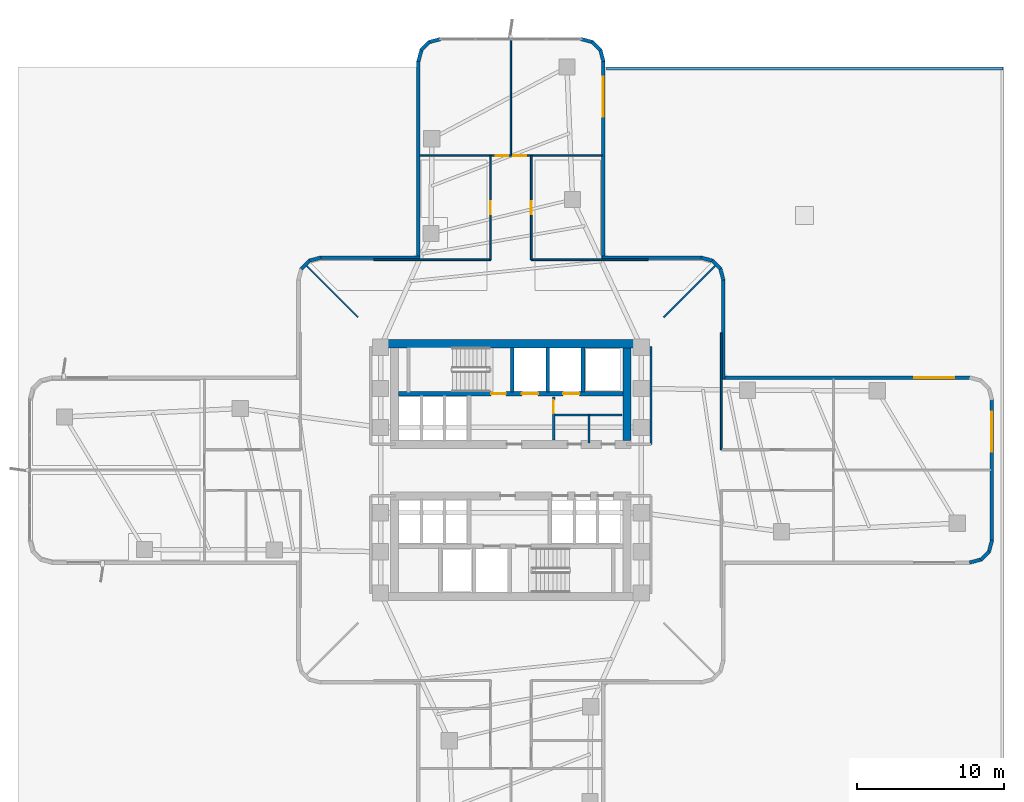
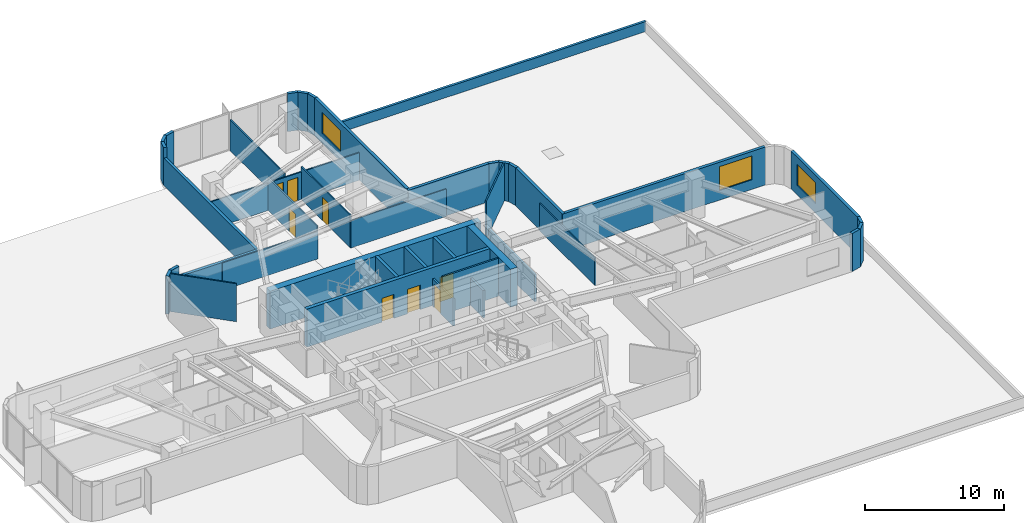
# One storey, part 10 of 14: 41 walls, 8 doors, 3 windows, 11 openings.
"""IFC4 building model written with IfcOpenShell, lengths in metres."""

from ifc_helpers import new_model, si_unit, direction, frame, frame_2d, origin, place, context, subcontext, project, spatial, rectangle, extrude, material, layer, layer_set, type_object, element, fill, save


model = new_model("IFC4")

# Units and contexts
model_context = context("Model", 3, precision=1e-05, world=origin(), true_north=direction((0.0, 1.0)))
body_context = subcontext(model_context, "Body", "Model", "MODEL_VIEW")
ifc_project = project(units=[si_unit("LENGTHUNIT", "METRE"), si_unit("AREAUNIT", "SQUARE_METRE"), si_unit("VOLUMEUNIT", "CUBIC_METRE"), si_unit("PLANEANGLEUNIT", "RADIAN"), si_unit("MASSUNIT", "GRAM", prefix="KILO")], contexts=[model_context])

# Site, building, storey
site_placement = place(None, origin())
site = spatial("IfcSite", under=ifc_project, at=site_placement, CompositionType="ELEMENT")
building_placement = place(site_placement, origin())
building = spatial("IfcBuilding", under=site, at=building_placement, Name="Solmarez Civic Tower", CompositionType="ELEMENT")
storey_placement = place(building_placement, frame((0.0, 0.0, 24.47998046875)))
storey = spatial("IfcBuildingStorey", under=building, at=storey_placement, Name="L05", CompositionType="ELEMENT", Elevation=24.47998046875)

# Walls
ifc_material_1 = material(Name="Concrete C60/75", Category="concrete")
ifc_layer_1 = layer(ifc_material_1, 0.550048828125)
ifc_layer_set_1 = layer_set([ifc_layer_1], Name="Concrete C60/75")
wall_type_1 = type_object("IfcWallType", Name="WALL-CORE-550", PredefinedType="SHEAR", material=ifc_layer_set_1)
wall_1_placement = place(storey_placement, frame((-8.780029296875, 8.5849609375, 0.0), z_axis=(0.0, 0.0, 1.0), x_axis=(1.0, 0.0, 0.0)))
element("IfcWall", 1, at=wall_1_placement, inside=storey, type_object=wall_type_1, Name="L05 Split-Core Structural Wall NCW-N-L05", PredefinedType="SHEAR", context=body_context, shape_type="SweptSolid", body=[
    extrude(rectangle(XDim=17.56005859375, YDim=0.550048828125, at=frame_2d((8.780029296875, 0.0))), origin(), (0.0, 0.0, 1.0), 3.340087890625),
])
wall_2_placement = place(storey_placement, frame((7.89501953125, 8.31005859375, 0.0), z_axis=(0.0, 0.0, 1.0), x_axis=(0.0, -1.0, 0.0)))
element("IfcWall", 2, at=wall_2_placement, inside=storey, type_object=wall_type_1, Name="L05 Split-Core Structural Wall NCW-E-L05", PredefinedType="SHEAR", context=body_context, shape_type="SweptSolid", body=[
    extrude(rectangle(XDim=6.28515625, YDim=0.550048828125, at=frame_2d((3.142578125, 0.0))), origin(), (0.0, 0.0, 1.0), 3.340087890625),
])
ifc_material_2 = material(Name="Precast concrete C40/50", Category="concrete")
ifc_layer_2 = layer(ifc_material_2, 0.239990234375)
ifc_layer_set_2 = layer_set([ifc_layer_2], Name="Precast concrete C40/50")
wall_type_2 = type_object("IfcWallType", Name="WALL-EXT-240", PredefinedType="SOLIDWALL", material=ifc_layer_set_2)
wall_3_placement = place(storey_placement, frame((-14.24609375, 13.669921875, 0.0), z_axis=(0.0, 0.0, 1.0), x_axis=(0.707106781187, 0.707106781187, 0.0)))
element("IfcWall", 3, at=wall_3_placement, inside=storey, type_object=wall_type_2, Name="L05 Exterior Precast Wall 15", PredefinedType="SOLIDWALL", context=body_context, shape_type="SweptSolid", body=[
    extrude(rectangle(XDim=0.81494140625, YDim=0.239990234375, at=frame_2d((0.407470703125, 0.0))), origin(), (0.0, 0.0, 1.0), 3.340087890625),
])
wall_4_placement = place(storey_placement, frame((-13.7119140625, 14.221923828125, 0.0), z_axis=(0.0, 0.0, 1.0), x_axis=(0.966161677396, 0.257937227116, 0.0)))
element("IfcWall", 4, at=wall_4_placement, inside=storey, type_object=wall_type_2, Name="L05 Exterior Precast Wall 16", PredefinedType="SOLIDWALL", context=body_context, shape_type="SweptSolid", body=[
    extrude(rectangle(XDim=0.830078125, YDim=0.239990234375, at=frame_2d((0.4150390625, 0.0))), origin(), (0.0, 0.0, 1.0), 3.340087890625),
])
wall_5_placement = place(storey_placement, frame((-12.958984375, 14.429931640625, 0.0), z_axis=(0.0, 0.0, 1.0), x_axis=(1.0, 0.0, 0.0)))
element("IfcWall", 5, at=wall_5_placement, inside=storey, type_object=wall_type_2, Name="L05 Exterior Precast Wall 17", PredefinedType="SOLIDWALL", context=body_context, shape_type="SweptSolid", body=[
    extrude(rectangle(XDim=6.77490234375, YDim=0.239990234375, at=frame_2d((3.387451171875, 0.0))), origin(), (0.0, 0.0, 1.0), 2.4208984375),
])
wall_6_placement = place(storey_placement, frame((-6.280029296875, 14.333984375, 0.0), z_axis=(0.0, 0.0, 1.0), x_axis=(0.0, 1.0, 0.0)))
element("IfcWall", 6, at=wall_6_placement, inside=storey, type_object=wall_type_2, Name="L05 Exterior Precast Wall 20", PredefinedType="SOLIDWALL", context=body_context, shape_type="SweptSolid", body=[
    extrude(rectangle(XDim=13.47509765625, YDim=0.239990234375, at=frame_2d((6.737548828125, 0.0))), origin(), (0.0, 0.0, 1.0), 2.4208984375),
])
wall_7_placement = place(storey_placement, frame((-6.285888671875, 27.760009765625, 0.0), z_axis=(0.0, 0.0, 1.0), x_axis=(0.25766265056, 0.966234939601, 0.0)))
element("IfcWall", 7, at=wall_7_placement, inside=storey, type_object=wall_type_2, Name="L05 Exterior Precast Wall 21", PredefinedType="SOLIDWALL", context=body_context, shape_type="SweptSolid", body=[
    extrude(rectangle(XDim=0.830078125, YDim=0.239990234375, at=frame_2d((0.4150390625, 0.0))), origin(), (0.0, 0.0, 1.0), 3.340087890625),
])
wall_8_placement = place(storey_placement, frame((-6.095947265625, 28.52001953125, 0.0), z_axis=(0.0, 0.0, 1.0), x_axis=(0.707106781187, 0.707106781187, 0.0)))
element("IfcWall", 8, at=wall_8_placement, inside=storey, type_object=wall_type_2, Name="L05 Exterior Precast Wall 22", PredefinedType="SOLIDWALL", context=body_context, shape_type="SweptSolid", body=[
    extrude(rectangle(XDim=0.814453125, YDim=0.239990234375, at=frame_2d((0.4072265625, 0.0))), origin(), (0.0, 0.0, 1.0), 3.340087890625),
])
for number, where, z_axis, x_axis, name in (
    (9, (-5.56201171875, 29.072021484375, 0.0), (0.0, 0.0, 1.0), (0.966234939601, 0.25766265056, 0.0), "L05 Exterior Precast Wall 23"),
    (10, (4.760009765625, 29.285888671875, 0.0), (0.0, 0.0, 1.0), (0.966234939601, -0.25766265056, 0.0), "L05 Exterior Precast Wall 25"),
):
    element("IfcWall", number, at=place(storey_placement, frame(where, z_axis=z_axis, x_axis=x_axis)), inside=storey, type_object=wall_type_2, Name=name, PredefinedType="SOLIDWALL", context=body_context, shape_type="SweptSolid", body=[
        extrude(rectangle(XDim=0.830078125, YDim=0.239990234375, at=frame_2d((0.4150390625, 0.0))), origin(), (0.0, 0.0, 1.0), 3.340087890625),
    ])
wall_9_placement = place(storey_placement, frame((5.52001953125, 29.095947265625, 0.0), z_axis=(0.0, 0.0, 1.0), x_axis=(0.707106781187, -0.707106781187, 0.0)))
element("IfcWall", 11, at=wall_9_placement, inside=storey, type_object=wall_type_2, Name="L05 Exterior Precast Wall 26", PredefinedType="SOLIDWALL", context=body_context, shape_type="SweptSolid", body=[
    extrude(rectangle(XDim=0.814453125, YDim=0.239990234375, at=frame_2d((0.4072265625, 0.0))), origin(), (0.0, 0.0, 1.0), 3.340087890625),
])
wall_10_placement = place(storey_placement, frame((6.072021484375, 28.56201171875, 0.0), z_axis=(0.0, 0.0, 1.0), x_axis=(0.25766265056, -0.966234939601, 0.0)))
element("IfcWall", 12, at=wall_10_placement, inside=storey, type_object=wall_type_2, Name="L05 Exterior Precast Wall 27", PredefinedType="SOLIDWALL", context=body_context, shape_type="SweptSolid", body=[
    extrude(rectangle(XDim=0.830078125, YDim=0.239990234375, at=frame_2d((0.4150390625, 0.0))), origin(), (0.0, 0.0, 1.0), 3.340087890625),
])

# Wall, opening, window
wall_11_placement = place(storey_placement, frame((6.280029296875, 27.80908203125, 0.0), z_axis=(0.0, 0.0, 1.0), x_axis=(0.0, -1.0, 0.0)))
wall_11 = element("IfcWall", 13, at=wall_11_placement, inside=storey, type_object=wall_type_2, Name="L05 Exterior Precast Wall 28", PredefinedType="SOLIDWALL", context=body_context, shape_type="SweptSolid", body=[
    extrude(rectangle(XDim=13.47509765625, YDim=0.239990234375, at=frame_2d((6.737548828125, 0.0))), origin(), (0.0, 0.0, 1.0), 3.340087890625),
])
opening_1_placement = place(wall_11_placement, frame((1.10009765625, 0.0, 0.85009765625)))
opening_1 = element("IfcOpeningElement", 14, at=opening_1_placement, cuts=wall_11, Name="Opening W-05", PredefinedType="OPENING", context=body_context, shape_type="SweptSolid", body=[
    extrude(rectangle(XDim=2.699951171875, YDim=1.85009765625, at=frame_2d((1.35009765625, 0.925048828125))), frame((0.0, 0.1298828125, 0.0), z_axis=(0.0, -1.0, 0.0), x_axis=(1.0, 0.0, 0.0)), (0.0, 0.0, 1.0), 0.260009765625),
])
ifc_material_3 = material(Name="Solar Control Bronze-Tinted Insulating Glass", Category="glass")
window_type_1 = type_object("IfcWindowType", Name="WIN-2700X1850", PartitioningType="SINGLE_PANEL", PredefinedType="WINDOW", material=ifc_material_3)
window_1_placement = place(opening_1_placement, origin())
window_1 = element("IfcWindow", 15, at=window_1_placement, inside=storey, type_object=window_type_1, Name="L05 Exterior Facade Window 28", OverallHeight=1.85009765625, OverallWidth=2.699951171875, PartitioningType="SINGLE_PANEL", PredefinedType="WINDOW", context=body_context, shape_type="SweptSolid", body=[
    extrude(rectangle(XDim=2.699951171875, YDim=1.85009765625, at=frame_2d((1.35009765625, 0.925048828125))), frame((0.0, 0.030029296875, 0.0), z_axis=(0.0, -1.0, 0.0), x_axis=(1.0, 0.0, 0.0)), (0.0, 0.0, 1.0), 0.06005859375),
])
fill(opening_1, window_1)

# Walls
wall_12_placement = place(storey_placement, frame((6.18408203125, 14.429931640625, 0.0), z_axis=(0.0, 0.0, 1.0), x_axis=(1.0, 0.0, 0.0)))
element("IfcWall", 16, at=wall_12_placement, inside=storey, type_object=wall_type_2, Name="L05 Exterior Precast Wall 31", PredefinedType="SOLIDWALL", context=body_context, shape_type="SweptSolid", body=[
    extrude(rectangle(XDim=6.77490234375, YDim=0.239990234375, at=frame_2d((3.387451171875, 0.0))), origin(), (0.0, 0.0, 1.0), 3.340087890625),
])
wall_13_placement = place(storey_placement, frame((12.909912109375, 14.43603515625, 0.0), z_axis=(0.0, 0.0, 1.0), x_axis=(0.966161677396, -0.257937227116, 0.0)))
element("IfcWall", 17, at=wall_13_placement, inside=storey, type_object=wall_type_2, Name="L05 Exterior Precast Wall 32", PredefinedType="SOLIDWALL", context=body_context, shape_type="SweptSolid", body=[
    extrude(rectangle(XDim=0.830078125, YDim=0.239990234375, at=frame_2d((0.4150390625, 0.0))), origin(), (0.0, 0.0, 1.0), 3.340087890625),
])
wall_14_placement = place(storey_placement, frame((13.669921875, 14.24609375, 0.0), z_axis=(0.0, 0.0, 1.0), x_axis=(0.707106781187, -0.707106781187, 0.0)))
element("IfcWall", 18, at=wall_14_placement, inside=storey, type_object=wall_type_2, Name="L05 Exterior Precast Wall 33", PredefinedType="SOLIDWALL", context=body_context, shape_type="SweptSolid", body=[
    extrude(rectangle(XDim=0.81494140625, YDim=0.239990234375, at=frame_2d((0.407470703125, 0.0))), origin(), (0.0, 0.0, 1.0), 3.340087890625),
])
wall_15_placement = place(storey_placement, frame((14.221923828125, 13.7119140625, 0.0), z_axis=(0.0, 0.0, 1.0), x_axis=(0.257937227116, -0.966161677396, 0.0)))
element("IfcWall", 19, at=wall_15_placement, inside=storey, type_object=wall_type_2, Name="L05 Exterior Precast Wall 34", PredefinedType="SOLIDWALL", context=body_context, shape_type="SweptSolid", body=[
    extrude(rectangle(XDim=0.830078125, YDim=0.239990234375, at=frame_2d((0.4150390625, 0.0))), origin(), (0.0, 0.0, 1.0), 3.340087890625),
])
wall_16_placement = place(storey_placement, frame((14.429931640625, 12.958984375, 0.0), z_axis=(0.0, 0.0, 1.0), x_axis=(0.0, -1.0, 0.0)))
element("IfcWall", 20, at=wall_16_placement, inside=storey, type_object=wall_type_2, Name="L05 Exterior Precast Wall 35", PredefinedType="SOLIDWALL", context=body_context, shape_type="SweptSolid", body=[
    extrude(rectangle(XDim=6.77490234375, YDim=0.239990234375, at=frame_2d((3.387451171875, 0.0))), origin(), (0.0, 0.0, 1.0), 3.340087890625),
])

# Wall, opening, window
wall_17_placement = place(storey_placement, frame((14.333984375, 6.280029296875, 0.0), z_axis=(0.0, 0.0, 1.0), x_axis=(1.0, 0.0, 0.0)))
wall_17 = element("IfcWall", 21, at=wall_17_placement, inside=storey, type_object=wall_type_2, Name="L05 Exterior Precast Wall 38", PredefinedType="SOLIDWALL", context=body_context, shape_type="SweptSolid", body=[
    extrude(rectangle(XDim=16.875, YDim=0.239990234375, at=frame_2d((8.4375, 0.0))), origin(), (0.0, 0.0, 1.0), 3.340087890625),
])
opening_2_placement = place(wall_17_placement, frame((13.074951171875, 0.0, 0.85009765625)))
opening_2 = element("IfcOpeningElement", 22, at=opening_2_placement, cuts=wall_17, Name="Opening W-01", PredefinedType="OPENING", context=body_context, shape_type="SweptSolid", body=[
    extrude(rectangle(XDim=2.699951171875, YDim=2.10009765625, at=frame_2d((1.35009765625, 1.050048828125))), frame((0.0, 0.1298828125, 0.0), z_axis=(0.0, -1.0, 0.0), x_axis=(1.0, 0.0, 0.0)), (0.0, 0.0, 1.0), 0.260009765625),
])
window_type_2 = type_object("IfcWindowType", Name="WIN-2700X2100", PartitioningType="SINGLE_PANEL", PredefinedType="WINDOW", material=ifc_material_3)
window_2_placement = place(opening_2_placement, origin())
window_2 = element("IfcWindow", 23, at=window_2_placement, inside=storey, type_object=window_type_2, Name="L05 Exterior Facade Window 38", OverallHeight=2.10009765625, OverallWidth=2.699951171875, PartitioningType="SINGLE_PANEL", PredefinedType="WINDOW", context=body_context, shape_type="SweptSolid", body=[
    extrude(rectangle(XDim=2.699951171875, YDim=2.10009765625, at=frame_2d((1.35009765625, 1.050048828125))), frame((0.0, 0.030029296875, 0.0), z_axis=(0.0, -1.0, 0.0), x_axis=(1.0, 0.0, 0.0)), (0.0, 0.0, 1.0), 0.06005859375),
])
fill(opening_2, window_2)

wall_18_placement = place(storey_placement, frame((32.679931640625, 4.80908203125, 0.0), z_axis=(0.0, 0.0, 1.0), x_axis=(0.0, -1.0, 0.0)))
wall_18 = element("IfcWall", 24, at=wall_18_placement, inside=storey, type_object=wall_type_2, Name="L05 Exterior Precast Wall 42", PredefinedType="SOLIDWALL", context=body_context, shape_type="SweptSolid", body=[
    extrude(rectangle(XDim=9.6181640625, YDim=0.239990234375, at=frame_2d((4.80908203125, 0.0))), origin(), (0.0, 0.0, 1.0), 3.340087890625),
])
opening_3_placement = place(wall_18_placement, frame((0.85009765625, 0.0, 0.85009765625)))
opening_3 = element("IfcOpeningElement", 25, at=opening_3_placement, cuts=wall_18, Name="Opening W-05", PredefinedType="OPENING", context=body_context, shape_type="SweptSolid", body=[
    extrude(rectangle(XDim=2.699951171875, YDim=1.85009765625, at=frame_2d((1.35009765625, 0.925048828125))), frame((0.0, 0.1298828125, 0.0), z_axis=(0.0, -1.0, 0.0), x_axis=(1.0, 0.0, 0.0)), (0.0, 0.0, 1.0), 0.260009765625),
])
window_3_placement = place(opening_3_placement, origin())
window_3 = element("IfcWindow", 26, at=window_3_placement, inside=storey, type_object=window_type_1, Name="L05 Exterior Facade Window 42", OverallHeight=1.85009765625, OverallWidth=2.699951171875, PartitioningType="SINGLE_PANEL", PredefinedType="WINDOW", context=body_context, shape_type="SweptSolid", body=[
    extrude(rectangle(XDim=2.699951171875, YDim=1.85009765625, at=frame_2d((1.35009765625, 0.925048828125))), frame((0.0, 0.030029296875, 0.0), z_axis=(0.0, -1.0, 0.0), x_axis=(1.0, 0.0, 0.0)), (0.0, 0.0, 1.0), 0.06005859375),
])
fill(opening_3, window_3)

# Walls
wall_19_placement = place(storey_placement, frame((32.68603515625, -4.760009765625, 0.0), z_axis=(0.0, 0.0, 1.0), x_axis=(-0.257937227116, -0.966161677396, 0.0)))
element("IfcWall", 27, at=wall_19_placement, inside=storey, type_object=wall_type_2, Name="L05 Exterior Precast Wall 43", PredefinedType="SOLIDWALL", context=body_context, shape_type="SweptSolid", body=[
    extrude(rectangle(XDim=0.830078125, YDim=0.239990234375, at=frame_2d((0.4150390625, 0.0))), origin(), (0.0, 0.0, 1.0), 3.340087890625),
])
wall_20_placement = place(storey_placement, frame((32.49609375, -5.52001953125, 0.0), z_axis=(0.0, 0.0, 1.0), x_axis=(-0.707256607812, -0.706956922808, 0.0)))
element("IfcWall", 28, at=wall_20_placement, inside=storey, type_object=wall_type_2, Name="L05 Exterior Precast Wall 44", PredefinedType="SOLIDWALL", context=body_context, shape_type="SweptSolid", body=[
    extrude(rectangle(XDim=0.814697265625, YDim=0.239990234375, at=frame_2d((0.4072265625, 0.0))), origin(), (0.0, 0.0, 1.0), 3.340087890625),
])
wall_21_placement = place(storey_placement, frame((31.9619140625, -6.072021484375, 0.0), z_axis=(0.0, 0.0, 1.0), x_axis=(-0.966234939601, -0.25766265056, 0.0)))
element("IfcWall", 29, at=wall_21_placement, inside=storey, type_object=wall_type_2, Name="L05 Exterior Precast Wall 45", PredefinedType="SOLIDWALL", context=body_context, shape_type="SweptSolid", body=[
    extrude(rectangle(XDim=0.830078125, YDim=0.239990234375, at=frame_2d((0.4150390625, 0.0))), origin(), (0.0, 0.0, 1.0), 3.340087890625),
])
ifc_material_4 = material(Name="Gypsum Board Acoustic Steel-Stud Partition", Category="steel")
ifc_layer_3 = layer(ifc_material_4, 0.14990234375)
ifc_layer_set_3 = layer_set([ifc_layer_3], Name="Gypsum Board Acoustic Steel-Stud Partition")
wall_type_3 = type_object("IfcWallType", Name="WALL-INT-FIRE-150", PredefinedType="PARTITIONING", material=ifc_layer_set_3)
wall_22_placement = place(storey_placement, frame((9.52001953125, 1.75, 0.0), z_axis=(0.0, 0.0, 1.0), x_axis=(0.0, 1.0, 0.0)))
element("IfcWall", 30, at=wall_22_placement, inside=storey, type_object=wall_type_3, Name="L05 Interior Partition CHW-L05-EN1", PredefinedType="PARTITIONING", context=body_context, shape_type="SweptSolid", body=[
    extrude(rectangle(XDim=6.6298828125, YDim=0.14990234375, at=frame_2d((3.31494140625, 0.0))), origin(), (0.0, 0.0, 1.0), 2.4208984375),
])
ifc_layer_4 = layer(ifc_material_4, 0.110107421875)
ifc_layer_set_4 = layer_set([ifc_layer_4], Name="Gypsum Board Acoustic Steel-Stud Partition")
wall_type_4 = type_object("IfcWallType", Name="WALL-INT-PART-110", PredefinedType="PARTITIONING", material=ifc_layer_set_4)
for number, where, z_axis, x_axis, name in (
    (31, (10.3798828125, 10.3798828125, 0.0), (0.0, 0.0, 1.0), (0.707106781187, 0.707106781187, 0.0), "L05 Interior Partition PT-L05-QDIV-1"),
    (32, (-10.3798828125, 10.3798828125, 0.0), (0.0, 0.0, 1.0), (-0.707106781187, 0.707106781187, 0.0), "L05 Interior Partition PT-L05-QDIV-2"),
):
    element("IfcWall", number, at=place(storey_placement, frame(where, z_axis=z_axis, x_axis=x_axis)), inside=storey, type_object=wall_type_4, Name=name, PredefinedType="PARTITIONING", context=body_context, shape_type="SweptSolid", body=[
        extrude(rectangle(XDim=4.975341796875, YDim=0.110107421875, at=frame_2d((2.48779296875, 0.0))), origin(), (0.0, 0.0, 1.0), 3.340087890625),
    ])
for number, where, z_axis, x_axis, name in (
    (33, (14.2900390625, 1.3701171875, 0.0), (0.0, 0.0, 1.0), (0.0, 1.0, 0.0), "L05 Interior Partition PT-L05-E-EFL"),
    (34, (-1.3701171875, 14.2900390625, 0.0), (0.0, 0.0, 1.0), (-1.0, 0.0, 0.0), "L05 Interior Partition PT-L05-N-EFL"),
    (35, (9.320068359375, 14.2900390625, 0.0), (0.0, 0.0, 1.0), (-1.0, 0.0, 0.0), "L05 Interior Partition PT-L05-N-EFR"),
):
    element("IfcWall", number, at=place(storey_placement, frame(where, z_axis=z_axis, x_axis=x_axis)), inside=storey, type_object=wall_type_4, Name=name, PredefinedType="PARTITIONING", context=body_context, shape_type="SweptSolid", body=[
        extrude(rectangle(XDim=7.949951171875, YDim=0.110107421875, at=frame_2d((3.97509765625, 0.0))), origin(), (0.0, 0.0, 1.0), 2.4208984375),
    ])

# Wall, opening, door
wall_23_placement = place(storey_placement, frame((-1.3798828125, 21.360107421875, 0.0), z_axis=(0.0, 0.0, 1.0), x_axis=(0.0, -1.0, 0.0)))
wall_23 = element("IfcWall", 36, at=wall_23_placement, inside=storey, type_object=wall_type_4, Name="L05 Interior Partition PT-L05-N-SL", PredefinedType="PARTITIONING", context=body_context, shape_type="SweptSolid", body=[
    extrude(rectangle(XDim=7.070068359375, YDim=0.110107421875, at=frame_2d((3.53515625, 0.0))), origin(), (0.0, 0.0, 1.0), 2.869140625),
])
opening_4_placement = place(wall_23_placement, frame((3.0849609375, 0.0, 0.0)))
opening_4 = element("IfcOpeningElement", 37, at=opening_4_placement, cuts=wall_23, Name="Opening D-08", PredefinedType="OPENING", context=body_context, shape_type="SweptSolid", body=[
    extrude(rectangle(XDim=0.89990234375, YDim=2.06005859375, at=frame_2d((0.449951171875, 1.030029296875))), frame((0.0, 0.06494140625, 0.0), z_axis=(0.0, -1.0, 0.0), x_axis=(1.0, 0.0, 0.0)), (0.0, 0.0, 1.0), 0.130126953125),
])
ifc_material_5 = material(Name="Solid-Core Timber Office Door", Category="wood")
door_type_1 = type_object("IfcDoorType", Name="DOOR-INT-900", OperationType="NOTDEFINED", PredefinedType="DOOR", material=ifc_material_5)
door_1_placement = place(opening_4_placement, origin())
door_1 = element("IfcDoor", 38, at=door_1_placement, inside=storey, type_object=door_type_1, Name="L05 Directorate Office North Door", OperationType="SINGLE_SWING_LEFT", OverallHeight=2.06005859375, OverallWidth=0.89990234375, PredefinedType="DOOR", context=body_context, shape_type="SweptSolid", body=[
    extrude(rectangle(XDim=0.89990234375, YDim=2.06005859375, at=frame_2d((0.449951171875, 1.030029296875))), frame((0.0, 0.02490234375, 0.0), z_axis=(0.0, -1.0, 0.0), x_axis=(1.0, 0.0, 0.0)), (0.0, 0.0, 1.0), 0.050048828125),
])
fill(opening_4, door_1)

wall_24_placement = place(storey_placement, frame((1.3798828125, 14.2900390625, 0.0), z_axis=(0.0, 0.0, 1.0), x_axis=(0.0, 1.0, 0.0)))
wall_24 = element("IfcWall", 39, at=wall_24_placement, inside=storey, type_object=wall_type_4, Name="L05 Interior Partition PT-L05-N-SR", PredefinedType="PARTITIONING", context=body_context, shape_type="SweptSolid", body=[
    extrude(rectangle(XDim=7.070068359375, YDim=0.110107421875, at=frame_2d((3.53515625, 0.0))), origin(), (0.0, 0.0, 1.0), 2.869140625),
])
opening_5_placement = place(wall_24_placement, frame((3.0849609375, 0.0, 0.0)))
opening_5 = element("IfcOpeningElement", 40, at=opening_5_placement, cuts=wall_24, Name="Opening D-08", PredefinedType="OPENING", context=body_context, shape_type="SweptSolid", body=[
    extrude(rectangle(XDim=0.89990234375, YDim=2.06005859375, at=frame_2d((0.449951171875, 1.030029296875))), frame((0.0, 0.06494140625, 0.0), z_axis=(0.0, -1.0, 0.0), x_axis=(1.0, 0.0, 0.0)), (0.0, 0.0, 1.0), 0.130126953125),
])
door_2_placement = place(opening_5_placement, origin())
door_2 = element("IfcDoor", 41, at=door_2_placement, inside=storey, type_object=door_type_1, Name="L05 Policy Boardroom North Door", OperationType="SINGLE_SWING_RIGHT", OverallHeight=2.06005859375, OverallWidth=0.89990234375, PredefinedType="DOOR", context=body_context, shape_type="SweptSolid", body=[
    extrude(rectangle(XDim=0.89990234375, YDim=2.06005859375, at=frame_2d((0.449951171875, 1.030029296875))), frame((0.0, 0.02490234375, 0.0), z_axis=(0.0, -1.0, 0.0), x_axis=(1.0, 0.0, 0.0)), (0.0, 0.0, 1.0), 0.050048828125),
])
fill(opening_5, door_2)

# Wall
wall_25_placement = place(storey_placement, frame((0.0, 21.419921875, 0.0), z_axis=(0.0, 0.0, 1.0), x_axis=(0.0, 1.0, 0.0)))
element("IfcWall", 42, at=wall_25_placement, inside=storey, type_object=wall_type_4, Name="L05 Interior Partition PT-L05-N-TM", PredefinedType="PARTITIONING", context=body_context, shape_type="SweptSolid", body=[
    extrude(rectangle(XDim=7.775146484375, YDim=0.110107421875, at=frame_2d((3.8876953125, 0.0))), origin(), (0.0, 0.0, 1.0), 2.719970703125),
])

# Wall, openings, doors
wall_26_placement = place(storey_placement, frame((-6.195068359375, 21.360107421875, 0.0), z_axis=(0.0, 0.0, 1.0), x_axis=(1.0, 0.0, 0.0)))
wall_26 = element("IfcWall", 43, at=wall_26_placement, inside=storey, type_object=wall_type_4, Name="L05 Interior Partition PT-L05-N-END", PredefinedType="PARTITIONING", context=body_context, shape_type="SweptSolid", body=[
    extrude(rectangle(XDim=12.39013671875, YDim=0.110107421875, at=frame_2d((6.195068359375, 0.0))), origin(), (0.0, 0.0, 1.0), 2.4208984375),
])
opening_6_placement = place(wall_26_placement, frame((6.364990234375, 0.0, 0.0)))
opening_6 = element("IfcOpeningElement", 44, at=opening_6_placement, cuts=wall_26, Name="Opening D-14", PredefinedType="OPENING", context=body_context, shape_type="SweptSolid", body=[
    extrude(rectangle(XDim=0.860107421875, YDim=2.0400390625, at=frame_2d((0.43017578125, 1.02001953125))), frame((0.0, 0.06494140625, 0.0), z_axis=(0.0, -1.0, 0.0), x_axis=(1.0, 0.0, 0.0)), (0.0, 0.0, 1.0), 0.130126953125),
])
opening_7_placement = place(wall_26_placement, frame((5.1650390625, 0.0, 0.0)))
opening_7 = element("IfcOpeningElement", 45, at=opening_7_placement, cuts=wall_26, Name="Opening D-14", PredefinedType="OPENING", context=body_context, shape_type="SweptSolid", body=[
    extrude(rectangle(XDim=0.860107421875, YDim=2.0400390625, at=frame_2d((0.43017578125, 1.02001953125))), frame((0.0, 0.06494140625, 0.0), z_axis=(0.0, -1.0, 0.0), x_axis=(1.0, 0.0, 0.0)), (0.0, 0.0, 1.0), 0.130126953125),
])
ifc_material_6 = material(Name="Timber Storage and Pantry Door", Category="wood")
door_type_2 = type_object("IfcDoorType", Name="DOOR-INT-850", OperationType="NOTDEFINED", PredefinedType="DOOR", material=ifc_material_6)
door_3_placement = place(opening_6_placement, origin())
door_3 = element("IfcDoor", 46, at=door_3_placement, inside=storey, type_object=door_type_2, Name="L05 Ministry Open Workspace Sixth North Door", OperationType="SINGLE_SWING_RIGHT", OverallHeight=2.0400390625, OverallWidth=0.860107421875, PredefinedType="DOOR", context=body_context, shape_type="SweptSolid", body=[
    extrude(rectangle(XDim=0.860107421875, YDim=2.0400390625, at=frame_2d((0.43017578125, 1.02001953125))), frame((0.0, 0.02490234375, 0.0), z_axis=(0.0, -1.0, 0.0), x_axis=(1.0, 0.0, 0.0)), (0.0, 0.0, 1.0), 0.050048828125),
])
fill(opening_6, door_3)
door_4_placement = place(opening_7_placement, origin())
door_4 = element("IfcDoor", 47, at=door_4_placement, inside=storey, type_object=door_type_2, Name="L05 Staff Pantry Fifth North Door", OperationType="SINGLE_SWING_LEFT", OverallHeight=2.0400390625, OverallWidth=0.860107421875, PredefinedType="DOOR", context=body_context, shape_type="SweptSolid", body=[
    extrude(rectangle(XDim=0.860107421875, YDim=2.0400390625, at=frame_2d((0.43017578125, 1.02001953125))), frame((0.0, 0.02490234375, 0.0), z_axis=(0.0, -1.0, 0.0), x_axis=(1.0, 0.0, 0.0)), (0.0, 0.0, 1.0), 0.050048828125),
])
fill(opening_7, door_4)

# Wall, opening, door
ifc_layer_5 = layer(ifc_material_4, 0.159912109375)
ifc_layer_set_5 = layer_set([ifc_layer_5], Name="Gypsum Board Acoustic Steel-Stud Partition")
wall_type_5 = type_object("IfcWallType", Name="WALL-INT-SHAFT-160", PredefinedType="PARTITIONING", material=ifc_layer_set_5)
wall_27_placement = place(storey_placement, frame((2.89990234375, 2.0400390625, 0.0), z_axis=(0.0, 0.0, 1.0), x_axis=(0.0, 1.0, 0.0)))
wall_27 = element("IfcWall", 48, at=wall_27_placement, inside=storey, type_object=wall_type_5, Name="L05 Interior Partition SHW-NL2-L05", PredefinedType="PARTITIONING", context=body_context, shape_type="SweptSolid", body=[
    extrude(rectangle(XDim=2.93994140625, YDim=0.159912109375, at=frame_2d((1.469970703125, 0.0))), origin(), (0.0, 0.0, 1.0), 2.405029296875),
])
opening_8_placement = place(wall_27_placement, frame((1.820068359375, 0.0, 0.0)))
opening_8 = element("IfcOpeningElement", 49, at=opening_8_placement, cuts=wall_27, Name="Opening D-09", PredefinedType="OPENING", context=body_context, shape_type="SweptSolid", body=[
    extrude(rectangle(XDim=0.89990234375, YDim=2.06005859375, at=frame_2d((0.449951171875, 1.030029296875))), frame((0.0, 0.08984375, 0.0), z_axis=(0.0, -1.0, 0.0), x_axis=(1.0, 0.0, 0.0)), (0.0, 0.0, 1.0), 0.179931640625),
])
ifc_material_7 = material(Name="Fire-Rated Service Core Door", Category="wood")
door_type_3 = type_object("IfcDoorType", Name="DOOR-FD60-900", OperationType="NOTDEFINED", PredefinedType="DOOR", material=ifc_material_7)
door_5_placement = place(opening_8_placement, origin())
door_5 = element("IfcDoor", 50, at=door_5_placement, inside=storey, type_object=door_type_3, Name="L05 Service Lift Lobby Door", OperationType="SINGLE_SWING_LEFT", OverallHeight=2.06005859375, OverallWidth=0.89990234375, PredefinedType="DOOR", context=body_context, shape_type="SweptSolid", body=[
    extrude(rectangle(XDim=0.89990234375, YDim=2.06005859375, at=frame_2d((0.449951171875, 1.030029296875))), frame((0.0, 0.02490234375, 0.0), z_axis=(0.0, -1.0, 0.0), x_axis=(1.0, 0.0, 0.0)), (0.0, 0.0, 1.0), 0.050048828125),
])
fill(opening_8, door_5)

# Walls
ifc_layer_6 = layer(ifc_material_4, 0.137939453125)
ifc_layer_set_6 = layer_set([ifc_layer_6], Name="Gypsum Board Acoustic Steel-Stud Partition")
wall_type_6 = type_object("IfcWallType", Name="WALL-INT-WET-140", PredefinedType="PARTITIONING", material=ifc_layer_set_6)
wall_28_placement = place(storey_placement, frame((2.89990234375, 3.739990234375, 0.0), z_axis=(0.0, 0.0, 1.0), x_axis=(1.0, 0.0, 0.0)))
element("IfcWall", 51, at=wall_28_placement, inside=storey, type_object=wall_type_6, Name="L05 Interior Partition SHW-SVH-L05", PredefinedType="PARTITIONING", context=body_context, shape_type="SweptSolid", body=[
    extrude(rectangle(XDim=4.650146484375, YDim=0.137939453125, at=frame_2d((2.3251953125, 0.0))), origin(), (0.0, 0.0, 1.0), 3.340087890625),
])
wall_29_placement = place(storey_placement, frame((5.300048828125, 1.85009765625, 0.0), z_axis=(0.0, 0.0, 1.0), x_axis=(0.0, 1.0, 0.0)))
element("IfcWall", 52, at=wall_29_placement, inside=storey, type_object=wall_type_6, Name="L05 Interior Partition PT-NCSV-L05", PredefinedType="PARTITIONING", context=body_context, shape_type="SweptSolid", body=[
    extrude(rectangle(XDim=1.889892578125, YDim=0.137939453125, at=frame_2d((0.94482421875, 0.0))), origin(), (0.0, 0.0, 1.0), 2.405029296875),
])
ifc_layer_7 = layer(ifc_material_2, 0.199951171875)
ifc_layer_set_7 = layer_set([ifc_layer_7], Name="Precast concrete C40/50")
wall_type_7 = type_object("IfcWallType", Name="WALL-PARAPET-200", PredefinedType="PARAPET", material=ifc_layer_set_7)
wall_30_placement = place(storey_placement, frame((33.419921875, 27.280029296875, 0.0), z_axis=(0.0, 0.0, 1.0), x_axis=(-1.0, 0.0, 0.0)))
element("IfcWall", 53, at=wall_30_placement, inside=storey, type_object=wall_type_7, Name="L05 Roof Perimeter Parapet 32", PredefinedType="PARAPET", context=body_context, shape_type="SweptSolid", body=[
    extrude(rectangle(XDim=26.93798828125, YDim=0.199951171875, at=frame_2d((13.468994140625, 0.0))), origin(), (0.0, 0.0, 1.0), 0.880126953125),
])

# Wall, openings, doors
ifc_material_8 = material(Name="Concrete C50/60", Category="concrete")
ifc_layer_8 = layer(ifc_material_8, 0.300048828125)
ifc_layer_set_8 = layer_set([ifc_layer_8], Name="Concrete C50/60")
wall_type_8 = type_object("IfcWallType", Name="WALL-STR-300", PredefinedType="SOLIDWALL", material=ifc_layer_set_8)
wall_31_placement = place(storey_placement, frame((7.6201171875, 5.179931640625, 0.0), z_axis=(0.0, 0.0, 1.0), x_axis=(-1.0, 0.0, 0.0)))
wall_31 = element("IfcWall", 54, at=wall_31_placement, inside=storey, type_object=wall_type_8, Name="L05 Split-Core Structural Wall NCW-M-L05", PredefinedType="SOLIDWALL", context=body_context, shape_type="SweptSolid", body=[
    extrude(rectangle(XDim=15.240234375, YDim=0.300048828125, at=frame_2d((7.6201171875, 0.0))), origin(), (0.0, 0.0, 1.0), 3.340087890625),
])
opening_9_placement = place(wall_31_placement, frame((5.77001953125, 0.0, 0.0)))
opening_9 = element("IfcOpeningElement", 55, at=opening_9_placement, cuts=wall_31, Name="Opening LD-02", PredefinedType="OPENING", context=body_context, shape_type="SweptSolid", body=[
    extrude(rectangle(XDim=1.10009765625, YDim=2.14990234375, at=frame_2d((0.550048828125, 1.074951171875))), frame((0.0, 0.159912109375, 0.0), z_axis=(0.0, -1.0, 0.0), x_axis=(1.0, 0.0, 0.0)), (0.0, 0.0, 1.0), 0.320068359375),
])
opening_10_placement = place(wall_31_placement, frame((2.969970703125, 0.0, 0.0)))
opening_10 = element("IfcOpeningElement", 56, at=opening_10_placement, cuts=wall_31, Name="Opening LD-03", PredefinedType="OPENING", context=body_context, shape_type="SweptSolid", body=[
    extrude(rectangle(XDim=1.10009765625, YDim=2.14990234375, at=frame_2d((0.550048828125, 1.074951171875))), frame((0.0, 0.159912109375, 0.0), z_axis=(0.0, -1.0, 0.0), x_axis=(1.0, 0.0, 0.0)), (0.0, 0.0, 1.0), 0.320068359375),
])
opening_11_placement = place(wall_31_placement, frame((7.969970703125, 0.0, 0.0)))
opening_11 = element("IfcOpeningElement", 57, at=opening_11_placement, cuts=wall_31, Name="Opening D-05", PredefinedType="OPENING", context=body_context, shape_type="SweptSolid", body=[
    extrude(rectangle(XDim=1.0, YDim=2.10009765625, at=frame_2d((0.5, 1.050048828125))), frame((0.0, 0.159912109375, 0.0), z_axis=(0.0, -1.0, 0.0), x_axis=(1.0, 0.0, 0.0)), (0.0, 0.0, 1.0), 0.320068359375),
])
ifc_material_9 = material(Name="Fire-Rated Stairwell Exit Door", Category="wood")
door_type_4 = type_object("IfcDoorType", Name="DOOR-FD90-1000", OperationType="NOTDEFINED", PredefinedType="DOOR", material=ifc_material_9)
door_6_placement = place(opening_11_placement, origin())
door_6 = element("IfcDoor", 58, at=door_6_placement, inside=storey, type_object=door_type_4, Name="L05 North Exit Stair Door ST-1", OperationType="SINGLE_SWING_RIGHT", OverallHeight=2.10009765625, OverallWidth=1.0, PredefinedType="DOOR", context=body_context, shape_type="SweptSolid", body=[
    extrude(rectangle(XDim=1.0, YDim=2.10009765625, at=frame_2d((0.5, 1.050048828125))), frame((0.0, 0.02490234375, 0.0), z_axis=(0.0, -1.0, 0.0), x_axis=(1.0, 0.0, 0.0)), (0.0, 0.0, 1.0), 0.050048828125),
])
fill(opening_11, door_6)
ifc_material_10 = material(Name="Stainless Firefighting Lift Landing Sliding Door", Category="aluminium")
door_type_5 = type_object("IfcDoorType", Name="DOOR-LD-FF-1100", OperationType="DOUBLE_DOOR_SLIDING", PredefinedType="DOOR", material=ifc_material_10)
door_7_placement = place(opening_9_placement, origin())
door_7 = element("IfcDoor", 59, at=door_7_placement, inside=storey, type_object=door_type_5, Name="L05 Firefighting Lift Landing Door FFL-1", OperationType="DOUBLE_DOOR_SLIDING", OverallHeight=2.14990234375, OverallWidth=1.10009765625, PredefinedType="DOOR", context=body_context, shape_type="SweptSolid", body=[
    extrude(rectangle(XDim=1.10009765625, YDim=2.14990234375, at=frame_2d((0.550048828125, 1.074951171875))), frame((0.0, 0.02490234375, 0.0), z_axis=(0.0, -1.0, 0.0), x_axis=(1.0, 0.0, 0.0)), (0.0, 0.0, 1.0), 0.050048828125),
])
fill(opening_9, door_7)
ifc_material_11 = material(Name="Stainless Stretcher Lift Landing Sliding Door", Category="aluminium")
door_type_6 = type_object("IfcDoorType", Name="DOOR-LD-SV-1100", OperationType="DOUBLE_DOOR_SLIDING", PredefinedType="DOOR", material=ifc_material_11)
door_8_placement = place(opening_10_placement, origin())
door_8 = element("IfcDoor", 60, at=door_8_placement, inside=storey, type_object=door_type_6, Name="L05 Service Stretcher Lift Landing Door SVL-1", OperationType="DOUBLE_DOOR_SLIDING", OverallHeight=2.14990234375, OverallWidth=1.10009765625, PredefinedType="DOOR", context=body_context, shape_type="SweptSolid", body=[
    extrude(rectangle(XDim=1.10009765625, YDim=2.14990234375, at=frame_2d((0.550048828125, 1.074951171875))), frame((0.0, 0.02490234375, 0.0), z_axis=(0.0, -1.0, 0.0), x_axis=(1.0, 0.0, 0.0)), (0.0, 0.0, 1.0), 0.050048828125),
])
fill(opening_10, door_8)

# Walls
for number, where, z_axis, x_axis, name in (
    (61, (0.10009765625, 5.300048828125, 0.0), (0.0, 0.0, 1.0), (0.0, 1.0, 0.0), "L05 Split-Core Structural Wall SHW-N1-L05"),
    (62, (2.5, 5.300048828125, 0.0), (0.0, 0.0, 1.0), (0.0, 1.0, 0.0), "L05 Split-Core Structural Wall SHW-N2-L05"),
    (63, (4.89990234375, 5.300048828125, 0.0), (0.0, 0.0, 1.0), (0.0, 1.0, 0.0), "L05 Split-Core Structural Wall SHW-N3-L05"),
):
    element("IfcWall", number, at=place(storey_placement, frame(where, z_axis=z_axis, x_axis=x_axis)), inside=storey, type_object=wall_type_8, Name=name, PredefinedType="SOLIDWALL", context=body_context, shape_type="SweptSolid", body=[
        extrude(rectangle(XDim=3.0400390625, YDim=0.25, at=frame_2d((1.52001953125, 0.0))), origin(), (0.0, 0.0, 1.0), 3.340087890625),
    ])

save(model, "model.ifc")
